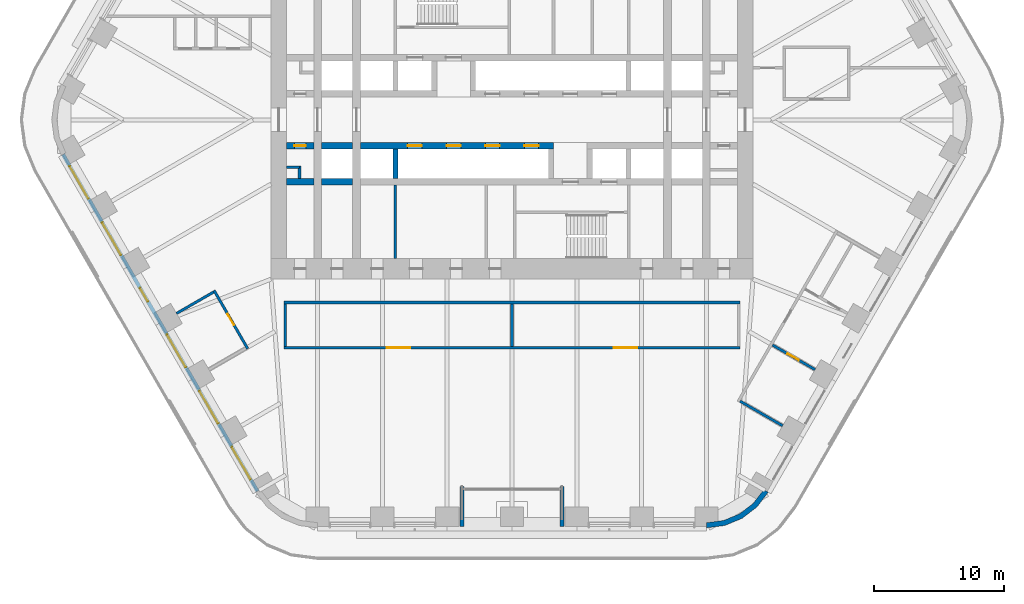
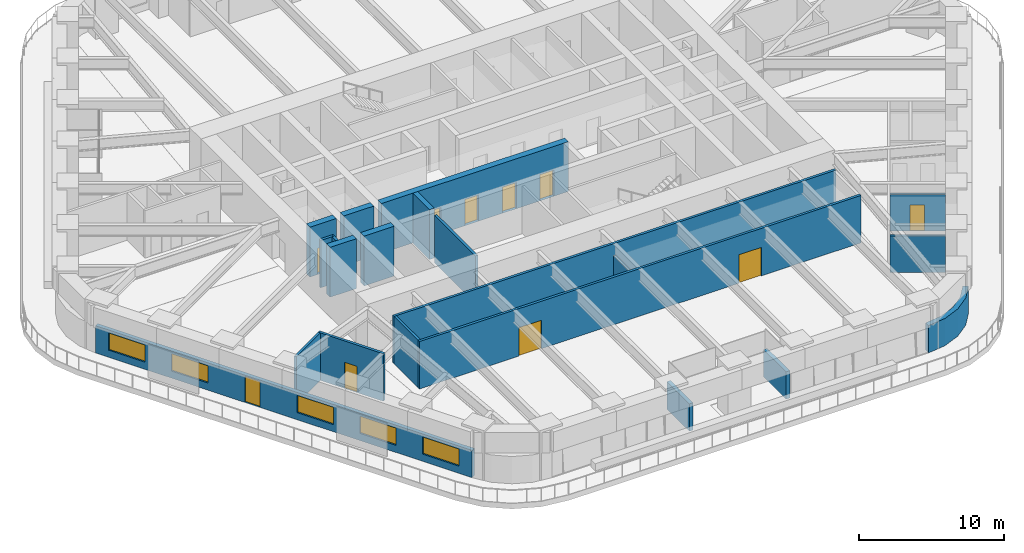
# One storey, part 17 of 24: 21 walls, 10 doors, 5 windows, 15 openings.
"""IFC4 building model written with IfcOpenShell, lengths in metres."""

from ifc_helpers import new_model, si_unit, direction, frame, frame_2d, origin, place, context, subcontext, project, spatial, polyline, rectangle, outline, extrude, material, layer, layer_set, type_object, element, fill, save


model = new_model("IFC4")

# Units and contexts
model_context = context("Model", 3, precision=1e-05, world=origin(), true_north=direction((0.0, 1.0)))
body_context = subcontext(model_context, "Body", "Model", "MODEL_VIEW")
ifc_project = project(units=[si_unit("LENGTHUNIT", "METRE"), si_unit("AREAUNIT", "SQUARE_METRE"), si_unit("VOLUMEUNIT", "CUBIC_METRE"), si_unit("PLANEANGLEUNIT", "RADIAN"), si_unit("MASSUNIT", "GRAM", prefix="KILO")], contexts=[model_context])

# Site, building, storey
site_placement = place(None, origin())
site = spatial("IfcSite", under=ifc_project, at=site_placement, CompositionType="ELEMENT")
building_placement = place(site_placement, origin())
building = spatial("IfcBuilding", under=site, at=building_placement, Name="Tarfa Lantern Tower", CompositionType="ELEMENT")
storey_placement = place(building_placement, frame((0.0, 0.0, 127.89990234375)))
storey = spatial("IfcBuildingStorey", under=building, at=storey_placement, Name="L28", CompositionType="ELEMENT", Elevation=127.89990234375)

# Wall, openings, door, windows
ifc_material_1 = material(Name="Limestone cladding on blockwork", Category="masonry")
ifc_layer_1 = layer(ifc_material_1, 0.300048828125)
ifc_layer_set_1 = layer_set([ifc_layer_1], Name="EW1 STONE-CLAD WALL 300")
wall_type_1 = type_object("IfcWallType", Name="EW1 STONE-CLAD WALL 300", PredefinedType="SOLIDWALL", material=ifc_layer_set_1)
wall_1_placement = place(storey_placement, frame((-34.655517578125, -2.675048828125, 0.0), z_axis=(0.0, 0.0, 1.0), x_axis=(0.500003084452, -0.866023622968, 0.0)))
wall_1 = element("IfcWall", 1, at=wall_1_placement, inside=storey, type_object=wall_type_1, Name="Stone wall SW", PredefinedType="SOLIDWALL", context=body_context, shape_type="SweptSolid", body=[
    extrude(rectangle(XDim=30.022216796875, YDim=0.300048828125, at=frame_2d((15.01123046875, 0.0))), origin(), (0.0, 0.0, 1.0), 2.300048828125),
])
opening_1_placement = place(wall_1_placement, frame((1.0517578125, 0.0, 0.60009765625)))
opening_1 = element("IfcOpeningElement", 2, at=opening_1_placement, cuts=wall_1, Name="Opening W8", PredefinedType="OPENING", context=body_context, shape_type="SweptSolid", body=[
    extrude(rectangle(XDim=2.89990234375, YDim=1.449951171875, at=frame_2d((1.449951171875, 0.72509765625))), frame((0.0, 0.159912109375, 0.0), z_axis=(0.0, -1.0, 0.0), x_axis=(1.0, 0.0, 0.0)), (0.0, 0.0, 1.0), 0.320068359375),
])
opening_2_placement = place(wall_1_placement, frame((6.0556640625, 0.0, 0.60009765625)))
opening_2 = element("IfcOpeningElement", 3, at=opening_2_placement, cuts=wall_1, Name="Opening W8", PredefinedType="OPENING", context=body_context, shape_type="SweptSolid", body=[
    extrude(rectangle(XDim=2.89990234375, YDim=1.449951171875, at=frame_2d((1.449951171875, 0.72509765625))), frame((0.0, 0.159912109375, 0.0), z_axis=(0.0, -1.0, 0.0), x_axis=(1.0, 0.0, 0.0)), (0.0, 0.0, 1.0), 0.320068359375),
])
opening_3_placement = place(wall_1_placement, frame((11.9091796875, 0.0, 0.0)))
opening_3 = element("IfcOpeningElement", 4, at=opening_3_placement, cuts=wall_1, Name="Opening D50", PredefinedType="OPENING", context=body_context, shape_type="SweptSolid", body=[
    extrude(rectangle(XDim=1.199951171875, YDim=2.199951171875, at=frame_2d((0.60009765625, 1.10009765625))), frame((0.0, 0.159912109375, 0.0), z_axis=(0.0, -1.0, 0.0), x_axis=(1.0, 0.0, 0.0)), (0.0, 0.0, 1.0), 0.320068359375),
])
opening_4_placement = place(wall_1_placement, frame((16.06298828125, 0.0, 0.60009765625)))
opening_4 = element("IfcOpeningElement", 5, at=opening_4_placement, cuts=wall_1, Name="Opening W8", PredefinedType="OPENING", context=body_context, shape_type="SweptSolid", body=[
    extrude(rectangle(XDim=2.89990234375, YDim=1.449951171875, at=frame_2d((1.449951171875, 0.72509765625))), frame((0.0, 0.159912109375, 0.0), z_axis=(0.0, -1.0, 0.0), x_axis=(1.0, 0.0, 0.0)), (0.0, 0.0, 1.0), 0.320068359375),
])
opening_5_placement = place(wall_1_placement, frame((21.066650390625, 0.0, 0.60009765625)))
opening_5 = element("IfcOpeningElement", 6, at=opening_5_placement, cuts=wall_1, Name="Opening W8", PredefinedType="OPENING", context=body_context, shape_type="SweptSolid", body=[
    extrude(rectangle(XDim=2.89990234375, YDim=1.449951171875, at=frame_2d((1.449951171875, 0.72509765625))), frame((0.0, 0.159912109375, 0.0), z_axis=(0.0, -1.0, 0.0), x_axis=(1.0, 0.0, 0.0)), (0.0, 0.0, 1.0), 0.320068359375),
])
opening_6_placement = place(wall_1_placement, frame((26.0703125, 0.0, 0.60009765625)))
opening_6 = element("IfcOpeningElement", 7, at=opening_6_placement, cuts=wall_1, Name="Opening W8", PredefinedType="OPENING", context=body_context, shape_type="SweptSolid", body=[
    extrude(rectangle(XDim=2.89990234375, YDim=1.449951171875, at=frame_2d((1.449951171875, 0.72509765625))), frame((0.0, 0.159912109375, 0.0), z_axis=(0.0, -1.0, 0.0), x_axis=(1.0, 0.0, 0.0)), (0.0, 0.0, 1.0), 0.320068359375),
])
ifc_material_2 = material(Name="Aluminium framed glazed door", Category="aluminium")
door_type_1 = type_object("IfcDoorType", Name="BE5 BALCONY DOOR 1200x2200", OperationType="SINGLE_SWING_RIGHT", PredefinedType="DOOR", material=ifc_material_2)
door_1_placement = place(opening_3_placement, origin())
door_1 = element("IfcDoor", 8, at=door_1_placement, inside=storey, type_object=door_type_1, Name="Balcony door SW", OperationType="SINGLE_SWING_LEFT", OverallHeight=2.199951171875, OverallWidth=1.199951171875, PredefinedType="DOOR", context=body_context, shape_type="SweptSolid", body=[
    extrude(rectangle(XDim=1.199951171875, YDim=2.199951171875, at=frame_2d((0.60009765625, 1.10009765625))), frame((0.0, 0.02490234375, 0.0), z_axis=(0.0, -1.0, 0.0), x_axis=(1.0, 0.0, 0.0)), (0.0, 0.0, 1.0), 0.050048828125),
])
fill(opening_3, door_1)
ifc_material_3 = material(Name="Aluminium frame, double glazed", Category="aluminium")
window_type = type_object("IfcWindowType", Name="W8 FULL-HEIGHT GLAZING 2900x1450", PartitioningType="SINGLE_PANEL", PredefinedType="WINDOW", material=ifc_material_3)
window_1_placement = place(opening_1_placement, origin())
window_1 = element("IfcWindow", 9, at=window_1_placement, inside=storey, type_object=window_type, Name="Window SW 1", OverallHeight=1.449951171875, OverallWidth=2.89990234375, PartitioningType="SINGLE_PANEL", PredefinedType="WINDOW", context=body_context, shape_type="SweptSolid", body=[
    extrude(rectangle(XDim=2.89990234375, YDim=1.449951171875, at=frame_2d((1.449951171875, 0.72509765625))), frame((0.0, 0.030029296875, 0.0), z_axis=(0.0, -1.0, 0.0), x_axis=(1.0, 0.0, 0.0)), (0.0, 0.0, 1.0), 0.06005859375),
])
fill(opening_1, window_1)
window_2_placement = place(opening_2_placement, origin())
window_2 = element("IfcWindow", 10, at=window_2_placement, inside=storey, type_object=window_type, Name="Window SW 2", OverallHeight=1.449951171875, OverallWidth=2.89990234375, PartitioningType="SINGLE_PANEL", PredefinedType="WINDOW", context=body_context, shape_type="SweptSolid", body=[
    extrude(rectangle(XDim=2.89990234375, YDim=1.449951171875, at=frame_2d((1.449951171875, 0.72509765625))), frame((0.0, 0.030029296875, 0.0), z_axis=(0.0, -1.0, 0.0), x_axis=(1.0, 0.0, 0.0)), (0.0, 0.0, 1.0), 0.06005859375),
])
fill(opening_2, window_2)
window_3_placement = place(opening_4_placement, origin())
window_3 = element("IfcWindow", 11, at=window_3_placement, inside=storey, type_object=window_type, Name="Window SW 4", OverallHeight=1.449951171875, OverallWidth=2.89990234375, PartitioningType="SINGLE_PANEL", PredefinedType="WINDOW", context=body_context, shape_type="SweptSolid", body=[
    extrude(rectangle(XDim=2.89990234375, YDim=1.449951171875, at=frame_2d((1.449951171875, 0.72509765625))), frame((0.0, 0.030029296875, 0.0), z_axis=(0.0, -1.0, 0.0), x_axis=(1.0, 0.0, 0.0)), (0.0, 0.0, 1.0), 0.06005859375),
])
fill(opening_4, window_3)
window_4_placement = place(opening_5_placement, origin())
window_4 = element("IfcWindow", 12, at=window_4_placement, inside=storey, type_object=window_type, Name="Window SW 5", OverallHeight=1.449951171875, OverallWidth=2.89990234375, PartitioningType="SINGLE_PANEL", PredefinedType="WINDOW", context=body_context, shape_type="SweptSolid", body=[
    extrude(rectangle(XDim=2.89990234375, YDim=1.449951171875, at=frame_2d((1.449951171875, 0.72509765625))), frame((0.0, 0.030029296875, 0.0), z_axis=(0.0, -1.0, 0.0), x_axis=(1.0, 0.0, 0.0)), (0.0, 0.0, 1.0), 0.06005859375),
])
fill(opening_5, window_4)
window_5_placement = place(opening_6_placement, origin())
window_5 = element("IfcWindow", 13, at=window_5_placement, inside=storey, type_object=window_type, Name="Window SW 6", OverallHeight=1.449951171875, OverallWidth=2.89990234375, PartitioningType="SINGLE_PANEL", PredefinedType="WINDOW", context=body_context, shape_type="SweptSolid", body=[
    extrude(rectangle(XDim=2.89990234375, YDim=1.449951171875, at=frame_2d((1.449951171875, 0.72509765625))), frame((0.0, 0.030029296875, 0.0), z_axis=(0.0, -1.0, 0.0), x_axis=(1.0, 0.0, 0.0)), (0.0, 0.0, 1.0), 0.06005859375),
])
fill(opening_6, window_5)

# Walls
for number, where, z_axis, x_axis, name in (
    (14, (-3.853759765625, -31.39990234375, 0.0), (0.0, 0.0, 1.0), (0.0, 1.0, 0.0), "Loggia return S 1"),
    (15, (3.853759765625, -31.39990234375, 0.0), (0.0, 0.0, 1.0), (0.0, 1.0, 0.0), "Loggia return S 2"),
):
    element("IfcWall", number, at=place(storey_placement, frame(where, z_axis=z_axis, x_axis=x_axis)), inside=storey, type_object=wall_type_1, Name=name, PredefinedType="SOLIDWALL", context=body_context, shape_type="SweptSolid", body=[
        extrude(rectangle(XDim=3.099853515625, YDim=0.300048828125, at=frame_2d((1.5498046875, 0.0))), origin(), (0.0, 0.0, 1.0), 2.300048828125),
    ])
ifc_layer_2 = layer(ifc_material_1, 0.39990234375)
ifc_layer_set_2 = layer_set([ifc_layer_2], Name="EW2 CURVED STONE CORNER 400")
wall_type_2 = type_object("IfcWallType", Name="EW2 CURVED STONE CORNER 400", PredefinedType="SOLIDWALL", material=ifc_layer_set_2)
wall_2_placement = place(storey_placement, origin())
element("IfcWall", 16, at=wall_2_placement, inside=storey, type_object=wall_type_2, Name="Stone corner S-SE", PredefinedType="SOLIDWALL", context=body_context, shape_type="SweptSolid", body=[
    extrude(outline(polyline([(15.010986328125, -31.5), (16.4345703125, -31.3125), (17.760986328125, -30.76318359375), (18.900146484375, -29.88916015625), (19.774169921875, -28.75), (19.427734375, -28.550048828125), (18.617431640625, -29.606201171875), (17.56103515625, -30.416748046875), (16.3310546875, -30.92626953125), (15.010986328125, -31.10009765625), (15.010986328125, -31.5)])), origin(), (0.0, 0.0, 1.0), 2.300048828125),
])
ifc_material_4 = material(Name="Concrete blockwork", Category="masonry")
ifc_layer_3 = layer(ifc_material_4, 0.199951171875)
ifc_layer_set_3 = layer_set([ifc_layer_3], Name="IW1 BLOCKWORK PARTITION 200 EI 120")
wall_type_3 = type_object("IfcWallType", Name="IW1 BLOCKWORK PARTITION 200 EI 120", PredefinedType="PARTITIONING", material=ifc_layer_set_3)
wall_3_placement = place(storey_placement, frame((-9.0, -5.050048828125, 0.0), z_axis=(0.0, 0.0, 1.0), x_axis=(0.0, -1.0, 0.0)))
element("IfcWall", 17, at=wall_3_placement, inside=storey, type_object=wall_type_3, Name="Core partition", PredefinedType="PARTITIONING", context=body_context, shape_type="SweptSolid", body=[
    extrude(rectangle(XDim=5.64990234375, YDim=0.199951171875, at=frame_2d((2.824951171875, 0.0))), origin(), (0.0, 0.0, 1.0), 4.0),
])
for number, where, z_axis, x_axis, name in (
    (18, (-16.39990234375, -3.64990234375, 0.0), (0.0, 0.0, 1.0), (-1.0, 0.0, 0.0), "Core partition"),
    (19, (-16.39990234375, -3.550048828125, 0.0), (0.0, 0.0, 1.0), (0.0, -1.0, 0.0), "Core partition"),
):
    element("IfcWall", number, at=place(storey_placement, frame(where, z_axis=z_axis, x_axis=x_axis)), inside=storey, type_object=wall_type_3, Name=name, PredefinedType="PARTITIONING", context=body_context, shape_type="SweptSolid", body=[
        extrude(rectangle(XDim=1.0, YDim=0.199951171875, at=frame_2d((0.5, 0.0))), origin(), (0.0, 0.0, 1.0), 4.0),
    ])
ifc_material_5 = material(Name="Gypsum board on steel studs", Category="steel")
ifc_layer_4 = layer(ifc_material_5, 0.2099609375)
ifc_layer_set_4 = layer_set([ifc_layer_4], Name="IW2 ACOUSTIC PARTITION 200")
wall_type_4 = type_object("IfcWallType", Name="IW2 ACOUSTIC PARTITION 200", PredefinedType="PARTITIONING", material=ifc_layer_set_4)
wall_4_placement = place(storey_placement, frame((17.60009765625, -14.10009765625, 0.0), z_axis=(0.0, 0.0, 1.0), x_axis=(-1.0, 0.0, 0.0)))
element("IfcWall", 20, at=wall_4_placement, inside=storey, type_object=wall_type_4, Name="Partition", PredefinedType="PARTITIONING", context=body_context, shape_type="SweptSolid", body=[
    extrude(rectangle(XDim=35.2001953125, YDim=0.199951171875, at=frame_2d((17.60009765625, 0.0))), origin(), (0.0, 0.0, 1.0), 4.0),
])

# Wall, openings, doors
wall_5_placement = place(storey_placement, frame((17.60009765625, -17.60009765625, 0.0), z_axis=(0.0, 0.0, 1.0), x_axis=(-1.0, 0.0, 0.0)))
wall_5 = element("IfcWall", 21, at=wall_5_placement, inside=storey, type_object=wall_type_4, Name="Partition", PredefinedType="PARTITIONING", context=body_context, shape_type="SweptSolid", body=[
    extrude(rectangle(XDim=35.2001953125, YDim=0.199951171875, at=frame_2d((17.60009765625, 0.0))), origin(), (0.0, 0.0, 1.0), 4.0),
])
opening_7_placement = place(wall_5_placement, frame((7.949951171875, 0.0, 0.0)))
opening_7 = element("IfcOpeningElement", 22, at=opening_7_placement, cuts=wall_5, Name="Opening D42", PredefinedType="OPENING", context=body_context, shape_type="SweptSolid", body=[
    extrude(rectangle(XDim=1.800048828125, YDim=2.39990234375, at=frame_2d((0.89990234375, 1.199951171875))), frame((0.0, 0.10986328125, 0.0), z_axis=(0.0, -1.0, 0.0), x_axis=(1.0, 0.0, 0.0)), (0.0, 0.0, 1.0), 0.219970703125),
])
opening_8_placement = place(wall_5_placement, frame((25.449951171875, 0.0, 0.0)))
opening_8 = element("IfcOpeningElement", 23, at=opening_8_placement, cuts=wall_5, Name="Opening D43", PredefinedType="OPENING", context=body_context, shape_type="SweptSolid", body=[
    extrude(rectangle(XDim=1.800048828125, YDim=2.39990234375, at=frame_2d((0.89990234375, 1.199951171875))), frame((0.0, 0.10986328125, 0.0), z_axis=(0.0, -1.0, 0.0), x_axis=(1.0, 0.0, 0.0)), (0.0, 0.0, 1.0), 0.219970703125),
])
ifc_material_6 = material(Name="Timber door", Category="wood")
door_type_2 = type_object("IfcDoorType", Name="DR2 ROOM DOOR 1800x2400", OperationType="DOUBLE_DOOR_SINGLE_SWING", PredefinedType="DOOR", material=ifc_material_6)
door_2_placement = place(opening_7_placement, frame((1.800048828125, 0.0, 0.0), z_axis=(0.0, 0.0, 1.0), x_axis=(-1.0, 0.0, 0.0)))
door_2 = element("IfcDoor", 24, at=door_2_placement, inside=storey, type_object=door_type_2, Name="Meeting room door", OperationType="DOUBLE_DOOR_SINGLE_SWING", OverallHeight=2.39990234375, OverallWidth=1.800048828125, PredefinedType="DOOR", context=body_context, shape_type="SweptSolid", body=[
    extrude(rectangle(XDim=1.800048828125, YDim=2.39990234375, at=frame_2d((0.89990234375, 1.199951171875))), frame((0.0, 0.02490234375, 0.0), z_axis=(0.0, -1.0, 0.0), x_axis=(1.0, 0.0, 0.0)), (0.0, 0.0, 1.0), 0.050048828125),
])
fill(opening_7, door_2)
door_3_placement = place(opening_8_placement, frame((1.800048828125, 0.0, 0.0), z_axis=(0.0, 0.0, 1.0), x_axis=(-1.0, 0.0, 0.0)))
door_3 = element("IfcDoor", 25, at=door_3_placement, inside=storey, type_object=door_type_2, Name="File room door", OperationType="DOUBLE_DOOR_SINGLE_SWING", OverallHeight=2.39990234375, OverallWidth=1.800048828125, PredefinedType="DOOR", context=body_context, shape_type="SweptSolid", body=[
    extrude(rectangle(XDim=1.800048828125, YDim=2.39990234375, at=frame_2d((0.89990234375, 1.199951171875))), frame((0.0, 0.02490234375, 0.0), z_axis=(0.0, -1.0, 0.0), x_axis=(1.0, 0.0, 0.0)), (0.0, 0.0, 1.0), 0.050048828125),
])
fill(opening_8, door_3)

# Walls
wall_6_placement = place(storey_placement, frame((0.0, -14.199951171875, 0.0), z_axis=(0.0, 0.0, 1.0), x_axis=(0.0, -1.0, 0.0)))
element("IfcWall", 26, at=wall_6_placement, inside=storey, type_object=wall_type_4, Name="Partition", PredefinedType="PARTITIONING", context=body_context, shape_type="SweptSolid", body=[
    extrude(rectangle(XDim=3.300048828125, YDim=0.199951171875, at=frame_2d((1.64990234375, 0.0))), origin(), (0.0, 0.0, 1.0), 2.991943359375),
])
wall_7_placement = place(storey_placement, frame((-17.5, -14.199951171875, 0.0), z_axis=(0.0, 0.0, 1.0), x_axis=(0.0, -1.0, 0.0)))
element("IfcWall", 27, at=wall_7_placement, inside=storey, type_object=wall_type_4, Name="Partition", PredefinedType="PARTITIONING", context=body_context, shape_type="SweptSolid", body=[
    extrude(rectangle(XDim=3.300048828125, YDim=0.199951171875, at=frame_2d((1.64990234375, 0.0))), origin(), (0.0, 0.0, 1.0), 4.0),
])
wall_8_placement = place(storey_placement, frame((17.599609375, -21.716552734375, 0.0), z_axis=(0.0, 0.0, 1.0), x_axis=(0.866000483506, -0.500043160704, 0.0)))
element("IfcWall", 28, at=wall_8_placement, inside=storey, type_object=wall_type_4, Name="Partition", PredefinedType="PARTITIONING", context=body_context, shape_type="SweptSolid", body=[
    extrude(rectangle(XDim=3.800048828125, YDim=0.199951171875, at=frame_2d((1.89990234375, 0.0))), origin(), (0.0, 0.0, 1.0), 3.081787109375),
])

# Wall, opening, door
wall_9_placement = place(storey_placement, frame((20.101318359375, -17.38330078125, 0.0), z_axis=(0.0, 0.0, 1.0), x_axis=(0.86601654697, -0.500015340139, 0.0)))
wall_9 = element("IfcWall", 29, at=wall_9_placement, inside=storey, type_object=wall_type_4, Name="Partition", PredefinedType="PARTITIONING", context=body_context, shape_type="SweptSolid", body=[
    extrude(rectangle(XDim=3.80029296875, YDim=0.199951171875, at=frame_2d((1.900146484375, 0.0))), origin(), (0.0, 0.0, 1.0), 3.081787109375),
])
opening_9_placement = place(wall_9_placement, frame((1.35009765625, 0.0, 0.0)))
opening_9 = element("IfcOpeningElement", 30, at=opening_9_placement, cuts=wall_9, Name="Opening D37", PredefinedType="OPENING", context=body_context, shape_type="SweptSolid", body=[
    extrude(rectangle(XDim=1.0, YDim=2.199951171875, at=frame_2d((0.5, 1.10009765625))), frame((0.0, 0.10986328125, 0.0), z_axis=(0.0, -1.0, 0.0), x_axis=(1.0, 0.0, 0.0)), (0.0, 0.0, 1.0), 0.219970703125),
])
door_type_3 = type_object("IfcDoorType", Name="DR1 ROOM DOOR 1000x2200", OperationType="SINGLE_SWING_LEFT", PredefinedType="DOOR", material=ifc_material_6)
door_4_placement = place(opening_9_placement, origin())
door_4 = element("IfcDoor", 31, at=door_4_placement, inside=storey, type_object=door_type_3, Name="Controller's office door", OperationType="SINGLE_SWING_RIGHT", OverallHeight=2.199951171875, OverallWidth=1.0, PredefinedType="DOOR", context=body_context, shape_type="SweptSolid", body=[
    extrude(rectangle(XDim=1.0, YDim=2.199951171875, at=frame_2d((0.5, 1.10009765625))), frame((0.0, 0.02490234375, 0.0), z_axis=(0.0, -1.0, 0.0), x_axis=(1.0, 0.0, 0.0)), (0.0, 0.0, 1.0), 0.050048828125),
])
fill(opening_9, door_4)

wall_10_placement = place(storey_placement, frame((-22.999755859375, -13.163330078125, 0.0), z_axis=(0.0, 0.0, 1.0), x_axis=(0.500024327116, -0.866011358062, 0.0)))
wall_10 = element("IfcWall", 32, at=wall_10_placement, inside=storey, type_object=wall_type_4, Name="Partition", PredefinedType="PARTITIONING", context=body_context, shape_type="SweptSolid", body=[
    extrude(rectangle(XDim=5.203857421875, YDim=0.199951171875, at=frame_2d((2.60205078125, 0.0))), origin(), (0.0, 0.0, 1.0), 4.0),
])
opening_10_placement = place(wall_10_placement, frame((2.101806640625, 0.0, 0.0)))
opening_10 = element("IfcOpeningElement", 33, at=opening_10_placement, cuts=wall_10, Name="Opening D41", PredefinedType="OPENING", context=body_context, shape_type="SweptSolid", body=[
    extrude(rectangle(XDim=1.0, YDim=2.199951171875, at=frame_2d((0.5, 1.10009765625))), frame((0.0, 0.10986328125, 0.0), z_axis=(0.0, -1.0, 0.0), x_axis=(1.0, 0.0, 0.0)), (0.0, 0.0, 1.0), 0.219970703125),
])
door_5_placement = place(opening_10_placement, frame((1.0, 0.0, 0.0), z_axis=(0.0, 0.0, 1.0), x_axis=(-1.0, 0.0, 0.0)))
door_5 = element("IfcDoor", 34, at=door_5_placement, inside=storey, type_object=door_type_3, Name="File room door", OperationType="SINGLE_SWING_RIGHT", OverallHeight=2.199951171875, OverallWidth=1.0, PredefinedType="DOOR", context=body_context, shape_type="SweptSolid", body=[
    extrude(rectangle(XDim=1.0, YDim=2.199951171875, at=frame_2d((0.5, 1.10009765625))), frame((0.0, 0.02490234375, 0.0), z_axis=(0.0, -1.0, 0.0), x_axis=(1.0, 0.0, 0.0)), (0.0, 0.0, 1.0), 0.050048828125),
])
fill(opening_10, door_5)

# Wall
wall_11_placement = place(storey_placement, frame((-23.036376953125, -13.300048828125, 0.0), z_axis=(0.0, 0.0, 1.0), x_axis=(-0.866021716278, -0.500006386895, 0.0)))
element("IfcWall", 35, at=wall_11_placement, inside=storey, type_object=wall_type_4, Name="Partition", PredefinedType="PARTITIONING", context=body_context, shape_type="SweptSolid", body=[
    extrude(rectangle(XDim=3.2998046875, YDim=0.199951171875, at=frame_2d((1.64990234375, 0.0))), origin(), (0.0, 0.0, 1.0), 4.0),
])

# Wall, openings, doors
ifc_material_7 = material(Name="Concrete C80/95", Category="concrete")
ifc_layer_5 = layer(ifc_material_7, 0.5)
ifc_layer_set_5 = layer_set([ifc_layer_5], Name="SW5 CORE WALL 500")
wall_type_5 = type_object("IfcWallType", Name="SW5 CORE WALL 500", PredefinedType="SHEAR", material=ifc_layer_set_5)
wall_12_placement = place(storey_placement, frame((3.199951171875, -2.0, 0.0), z_axis=(0.0, 0.0, 1.0), x_axis=(-1.0, 0.0, 0.0)))
wall_12 = element("IfcWall", 36, at=wall_12_placement, inside=storey, type_object=wall_type_5, Name="Core wall lobby east S", PredefinedType="SHEAR", context=body_context, shape_type="SweptSolid", body=[
    extrude(rectangle(XDim=14.89990234375, YDim=0.5, at=frame_2d((7.449951171875, 0.0))), origin(), (0.0, 0.0, 1.0), 4.2001953125),
])
opening_11_placement = place(wall_12_placement, frame((1.14990234375, 0.0, 0.0)))
opening_11 = element("IfcOpeningElement", 37, at=opening_11_placement, cuts=wall_12, Name="Opening LD07", PredefinedType="OPENING", context=body_context, shape_type="SweptSolid", body=[
    extrude(rectangle(XDim=1.10009765625, YDim=2.199951171875, at=frame_2d((0.550048828125, 1.10009765625))), frame((0.0, 0.260009765625, 0.0), z_axis=(0.0, -1.0, 0.0), x_axis=(1.0, 0.0, 0.0)), (0.0, 0.0, 1.0), 0.52001953125),
])
opening_12_placement = place(wall_12_placement, frame((4.14990234375, 0.0, 0.0)))
opening_12 = element("IfcOpeningElement", 38, at=opening_12_placement, cuts=wall_12, Name="Opening LD08", PredefinedType="OPENING", context=body_context, shape_type="SweptSolid", body=[
    extrude(rectangle(XDim=1.10009765625, YDim=2.199951171875, at=frame_2d((0.550048828125, 1.10009765625))), frame((0.0, 0.260009765625, 0.0), z_axis=(0.0, -1.0, 0.0), x_axis=(1.0, 0.0, 0.0)), (0.0, 0.0, 1.0), 0.52001953125),
])
opening_13_placement = place(wall_12_placement, frame((7.14990234375, 0.0, 0.0)))
opening_13 = element("IfcOpeningElement", 39, at=opening_13_placement, cuts=wall_12, Name="Opening LD09", PredefinedType="OPENING", context=body_context, shape_type="SweptSolid", body=[
    extrude(rectangle(XDim=1.10009765625, YDim=2.199951171875, at=frame_2d((0.550048828125, 1.10009765625))), frame((0.0, 0.260009765625, 0.0), z_axis=(0.0, -1.0, 0.0), x_axis=(1.0, 0.0, 0.0)), (0.0, 0.0, 1.0), 0.52001953125),
])
opening_14_placement = place(wall_12_placement, frame((10.14990234375, 0.0, 0.0)))
opening_14 = element("IfcOpeningElement", 40, at=opening_14_placement, cuts=wall_12, Name="Opening LD10", PredefinedType="OPENING", context=body_context, shape_type="SweptSolid", body=[
    extrude(rectangle(XDim=1.10009765625, YDim=2.199951171875, at=frame_2d((0.550048828125, 1.10009765625))), frame((0.0, 0.260009765625, 0.0), z_axis=(0.0, -1.0, 0.0), x_axis=(1.0, 0.0, 0.0)), (0.0, 0.0, 1.0), 0.52001953125),
])
ifc_material_8 = material(Name="Stainless steel lift door", Category="steel")
door_type_4 = type_object("IfcDoorType", Name="LD2 LIFT LANDING DOOR 1100x2200", OperationType="SLIDING_TO_LEFT", PredefinedType="DOOR", material=ifc_material_8)
door_6_placement = place(opening_11_placement, frame((1.10009765625, 0.0, 0.0), z_axis=(0.0, 0.0, 1.0), x_axis=(-1.0, 0.0, 0.0)))
door_6 = element("IfcDoor", 41, at=door_6_placement, inside=storey, type_object=door_type_4, Name="Landing door PB5", OperationType="SLIDING_TO_LEFT", OverallHeight=2.199951171875, OverallWidth=1.10009765625, PredefinedType="DOOR", context=body_context, shape_type="SweptSolid", body=[
    extrude(rectangle(XDim=1.10009765625, YDim=2.199951171875, at=frame_2d((0.550048828125, 1.10009765625))), frame((0.0, 0.02490234375, 0.0), z_axis=(0.0, -1.0, 0.0), x_axis=(1.0, 0.0, 0.0)), (0.0, 0.0, 1.0), 0.050048828125),
])
fill(opening_11, door_6)
door_7_placement = place(opening_12_placement, frame((1.10009765625, 0.0, 0.0), z_axis=(0.0, 0.0, 1.0), x_axis=(-1.0, 0.0, 0.0)))
door_7 = element("IfcDoor", 42, at=door_7_placement, inside=storey, type_object=door_type_4, Name="Landing door PB6", OperationType="SLIDING_TO_LEFT", OverallHeight=2.199951171875, OverallWidth=1.10009765625, PredefinedType="DOOR", context=body_context, shape_type="SweptSolid", body=[
    extrude(rectangle(XDim=1.10009765625, YDim=2.199951171875, at=frame_2d((0.550048828125, 1.10009765625))), frame((0.0, 0.02490234375, 0.0), z_axis=(0.0, -1.0, 0.0), x_axis=(1.0, 0.0, 0.0)), (0.0, 0.0, 1.0), 0.050048828125),
])
fill(opening_12, door_7)
door_8_placement = place(opening_13_placement, frame((1.10009765625, 0.0, 0.0), z_axis=(0.0, 0.0, 1.0), x_axis=(-1.0, 0.0, 0.0)))
door_8 = element("IfcDoor", 43, at=door_8_placement, inside=storey, type_object=door_type_4, Name="Landing door PB7", OperationType="SLIDING_TO_LEFT", OverallHeight=2.199951171875, OverallWidth=1.10009765625, PredefinedType="DOOR", context=body_context, shape_type="SweptSolid", body=[
    extrude(rectangle(XDim=1.10009765625, YDim=2.199951171875, at=frame_2d((0.550048828125, 1.10009765625))), frame((0.0, 0.02490234375, 0.0), z_axis=(0.0, -1.0, 0.0), x_axis=(1.0, 0.0, 0.0)), (0.0, 0.0, 1.0), 0.050048828125),
])
fill(opening_13, door_8)
door_9_placement = place(opening_14_placement, frame((1.10009765625, 0.0, 0.0), z_axis=(0.0, 0.0, 1.0), x_axis=(-1.0, 0.0, 0.0)))
door_9 = element("IfcDoor", 44, at=door_9_placement, inside=storey, type_object=door_type_4, Name="Landing door PB8", OperationType="SLIDING_TO_LEFT", OverallHeight=2.199951171875, OverallWidth=1.10009765625, PredefinedType="DOOR", context=body_context, shape_type="SweptSolid", body=[
    extrude(rectangle(XDim=1.10009765625, YDim=2.199951171875, at=frame_2d((0.550048828125, 1.10009765625))), frame((0.0, 0.02490234375, 0.0), z_axis=(0.0, -1.0, 0.0), x_axis=(1.0, 0.0, 0.0)), (0.0, 0.0, 1.0), 0.050048828125),
])
fill(opening_14, door_9)

# Wall
wall_13_placement = place(storey_placement, frame((-12.300048828125, -2.0, 0.0), z_axis=(0.0, 0.0, 1.0), x_axis=(-1.0, 0.0, 0.0)))
element("IfcWall", 45, at=wall_13_placement, inside=storey, type_object=wall_type_5, Name="Core wall lobby east S", PredefinedType="SHEAR", context=body_context, shape_type="SweptSolid", body=[
    extrude(rectangle(XDim=2.39990234375, YDim=0.5, at=frame_2d((1.199951171875, 0.0))), origin(), (0.0, 0.0, 1.0), 4.2001953125),
])

# Wall, opening, door
wall_14_placement = place(storey_placement, frame((-15.300048828125, -2.0, 0.0), z_axis=(0.0, 0.0, 1.0), x_axis=(-1.0, 0.0, 0.0)))
wall_14 = element("IfcWall", 46, at=wall_14_placement, inside=storey, type_object=wall_type_5, Name="Core wall lobby east S", PredefinedType="SHEAR", context=body_context, shape_type="SweptSolid", body=[
    extrude(rectangle(XDim=2.099853515625, YDim=0.5, at=frame_2d((1.0498046875, 0.0))), origin(), (0.0, 0.0, 1.0), 4.2001953125),
])
opening_15_placement = place(wall_14_placement, frame((0.60009765625, 0.0, 0.0)))
opening_15 = element("IfcOpeningElement", 47, at=opening_15_placement, cuts=wall_14, Name="Opening D18", PredefinedType="OPENING", context=body_context, shape_type="SweptSolid", body=[
    extrude(rectangle(XDim=0.89990234375, YDim=2.199951171875, at=frame_2d((0.449951171875, 1.10009765625))), frame((0.0, 0.260009765625, 0.0), z_axis=(0.0, -1.0, 0.0), x_axis=(1.0, 0.0, 0.0)), (0.0, 0.0, 1.0), 0.52001953125),
])
ifc_material_9 = material(Name="Steel fire door", Category="steel")
door_type_5 = type_object("IfcDoorType", Name="DF6 SERVICE ROOM DOOR 900x2200", OperationType="SINGLE_SWING_LEFT", PredefinedType="DOOR", material=ifc_material_9)
door_10_placement = place(opening_15_placement, origin())
door_10 = element("IfcDoor", 48, at=door_10_placement, inside=storey, type_object=door_type_5, Name="Service room door", OperationType="SINGLE_SWING_LEFT", OverallHeight=2.199951171875, OverallWidth=0.89990234375, PredefinedType="DOOR", context=body_context, shape_type="SweptSolid", body=[
    extrude(rectangle(XDim=0.89990234375, YDim=2.199951171875, at=frame_2d((0.449951171875, 1.10009765625))), frame((0.0, 0.02490234375, 0.0), z_axis=(0.0, -1.0, 0.0), x_axis=(1.0, 0.0, 0.0)), (0.0, 0.0, 1.0), 0.050048828125),
])
fill(opening_15, door_10)

# Walls
wall_15_placement = place(storey_placement, frame((-12.300048828125, -4.800048828125, 0.0), z_axis=(0.0, 0.0, 1.0), x_axis=(-1.0, 0.0, 0.0)))
element("IfcWall", 49, at=wall_15_placement, inside=storey, type_object=wall_type_5, Name="Core wall rear S", PredefinedType="SHEAR", context=body_context, shape_type="SweptSolid", body=[
    extrude(rectangle(XDim=2.39990234375, YDim=0.5, at=frame_2d((1.199951171875, 0.0))), origin(), (0.0, 0.0, 1.0), 4.2001953125),
])
wall_16_placement = place(storey_placement, frame((-15.300048828125, -4.800048828125, 0.0), z_axis=(0.0, 0.0, 1.0), x_axis=(-1.0, 0.0, 0.0)))
element("IfcWall", 50, at=wall_16_placement, inside=storey, type_object=wall_type_5, Name="Core wall rear S", PredefinedType="SHEAR", context=body_context, shape_type="SweptSolid", body=[
    extrude(rectangle(XDim=2.099853515625, YDim=0.5, at=frame_2d((1.0498046875, 0.0))), origin(), (0.0, 0.0, 1.0), 4.2001953125),
])
ifc_layer_6 = layer(ifc_material_7, 0.39990234375)
ifc_layer_set_6 = layer_set([ifc_layer_6], Name="SW6 CORE WALL 400")
wall_type_6 = type_object("IfcWallType", Name="SW6 CORE WALL 400", PredefinedType="SHEAR", material=ifc_layer_set_6)
wall_17_placement = place(storey_placement, frame((-9.0, -2.25, 0.0), z_axis=(0.0, 0.0, 1.0), x_axis=(0.0, -1.0, 0.0)))
element("IfcWall", 51, at=wall_17_placement, inside=storey, type_object=wall_type_6, Name="Core wall divider S", PredefinedType="SHEAR", context=body_context, shape_type="SweptSolid", body=[
    extrude(rectangle(XDim=2.300048828125, YDim=0.39990234375, at=frame_2d((1.14990234375, 0.0))), origin(), (0.0, 0.0, 1.0), 4.2001953125),
])

save(model, "model.ifc")
